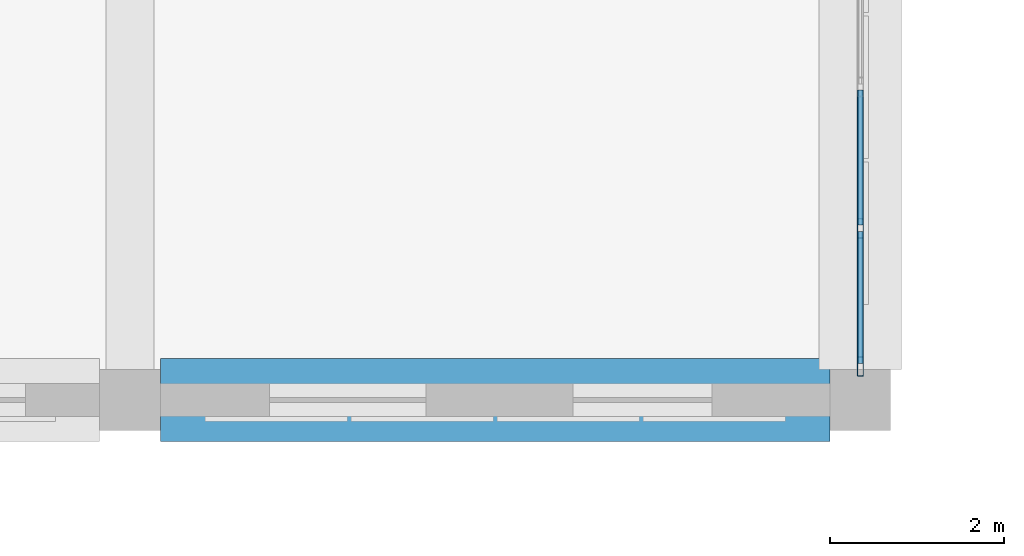
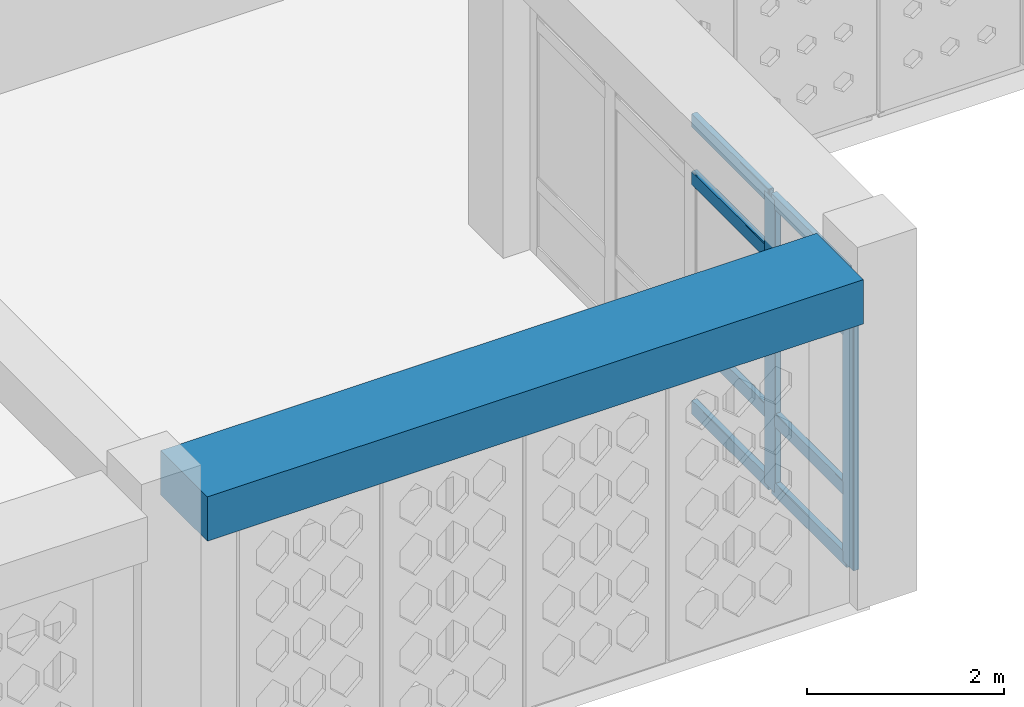
# One storey, part 16 of 79: 10 members, 1 beam, 1 element without a shape of its own.
"""IFC4 building model written with IfcOpenShell, lengths in metres."""

from ifc_helpers import new_model, si_unit, derived_unit, direction, frame, origin, origin_2d, place, context, subcontext, project, spatial, rectangle, hollow_rectangle, extrude, material, material_profile, profile_set, type_object, element, aggregate, save


model = new_model("IFC4")

# Units and contexts
model_context = context("Model", 3, precision=1e-05, world=origin(), true_north=direction((0.0, 1.0)))
body_context = subcontext(model_context, "Body", "Model", "MODEL_VIEW")
ifc_project = project(units=[si_unit("LENGTHUNIT", "METRE"), si_unit("AREAUNIT", "SQUARE_METRE"), si_unit("VOLUMEUNIT", "CUBIC_METRE"), si_unit("PLANEANGLEUNIT", "RADIAN"), si_unit("MASSUNIT", "GRAM", prefix="KILO"), derived_unit("THERMALTRANSMITTANCEUNIT", [(si_unit("POWERUNIT", "WATT"), 1), (si_unit("LENGTHUNIT", "METRE"), -2), (si_unit("THERMODYNAMICTEMPERATUREUNIT", "KELVIN"), -1)])], contexts=[model_context])

# Site, building, storey
site_placement = place(None, origin())
site = spatial("IfcSite", under=ifc_project, at=site_placement, CompositionType="ELEMENT")
building_placement = place(site_placement, origin())
building = spatial("IfcBuilding", under=site, at=building_placement, Name="Veybourne Emporium", CompositionType="ELEMENT")
storey_placement = place(building_placement, frame((0.0, 0.0, 18.89990234375)))
storey = spatial("IfcBuildingStorey", under=building, at=storey_placement, Name="L04", CompositionType="ELEMENT", Elevation=18.89990234375)

# Curtain wall, members
ifc_material_1 = material(Name="Patinated Architectural Bronze", Category="bronze")
curtain_wall_type = type_object("IfcCurtainWallType", Name="CWSystem_CWS-05", PredefinedType="NOTDEFINED", material=ifc_material_1)
curtain_wall_placement = place(storey_placement, origin())
curtain_wall = element("IfcCurtainWall", 1, at=curtain_wall_placement, inside=storey, type_object=curtain_wall_type, Name="L04 bronze glazed curtain wall CWS-05 (042)", PredefinedType="NOTDEFINED")
ifc_material_profile_1 = material_profile(ifc_material_1, hollow_rectangle(XDim=0.072021484375, YDim=0.22509765625, WallThickness=0.0048828125, InnerFilletRadius=0.007568359375, OuterFilletRadius=0.012451171875, at=origin_2d()), Name="CWM 72x225x5")
ifc_profile_set_1 = profile_set([ifc_material_profile_1], Name="Patinated Architectural Bronze")
member_type_1 = type_object("IfcMemberType", Name="CWMullion_CW-M1", PredefinedType="MULLION", material=ifc_profile_set_1)
member_1_placement = place(storey_placement, frame((92.39990234375, 30.77490234375, 0.0), z_axis=(0.0, 0.0, 1.0), x_axis=(1.0, 0.0, 0.0)))
member_1 = element("IfcMember", 2, at=member_1_placement, type_object=member_type_1, Name="CWS-05 mullion 4", PredefinedType="MULLION", context=body_context, shape_type="SweptSolid", body=[
    extrude(hollow_rectangle(XDim=0.072021484375, YDim=0.22509765625, WallThickness=0.0048828125, InnerFilletRadius=0.007568359375, OuterFilletRadius=0.012451171875, at=origin_2d()), origin(), (0.0, 0.0, 1.0), 3.630126953125),
])
member_2_placement = place(storey_placement, frame((92.39990234375, 29.18603515625, 0.0), z_axis=(0.0, 0.0, 1.0), x_axis=(1.0, 0.0, 0.0)))
member_2 = element("IfcMember", 3, at=member_2_placement, type_object=member_type_1, Name="CWS-05 mullion 5", PredefinedType="MULLION", context=body_context, shape_type="SweptSolid", body=[
    extrude(hollow_rectangle(XDim=0.072021484375, YDim=0.22509765625, WallThickness=0.0048828125, InnerFilletRadius=0.007568359375, OuterFilletRadius=0.012451171875, at=origin_2d()), origin(), (0.0, 0.0, 1.0), 3.630126953125),
])
ifc_material_profile_2 = material_profile(ifc_material_1, hollow_rectangle(XDim=0.072021484375, YDim=0.175048828125, WallThickness=0.0048828125, InnerFilletRadius=0.007568359375, OuterFilletRadius=0.012451171875, at=origin_2d()), Name="CWT 72x175x5")
ifc_profile_set_2 = profile_set([ifc_material_profile_2], Name="Patinated Architectural Bronze")
member_type_2 = type_object("IfcMemberType", Name="CWTransom_CW-T1", PredefinedType="NOTDEFINED", material=ifc_profile_set_2)
member_3_placement = place(storey_placement, frame((92.39990234375, 32.364013671875, 0.0361328125), z_axis=(0.0, -1.0, 0.0), x_axis=(1.0, 0.0, 0.0)))
member_3 = element("IfcMember", 4, at=member_3_placement, type_object=member_type_2, Name="CWS-05 transom 3.1", ObjectType="TRANSOM", PredefinedType="USERDEFINED", context=body_context, shape_type="SweptSolid", body=[
    extrude(hollow_rectangle(XDim=0.072021484375, YDim=0.175048828125, WallThickness=0.0048828125, InnerFilletRadius=0.007568359375, OuterFilletRadius=0.012451171875, at=origin_2d()), origin(), (0.0, 0.0, 1.0), 1.552978515625),
])
member_4_placement = place(storey_placement, frame((92.39990234375, 32.364013671875, 0.900146484375), z_axis=(0.0, -1.0, 0.0), x_axis=(1.0, 0.0, 0.0)))
member_4 = element("IfcMember", 5, at=member_4_placement, type_object=member_type_2, Name="CWS-05 transom 3.2", ObjectType="TRANSOM", PredefinedType="USERDEFINED", context=body_context, shape_type="SweptSolid", body=[
    extrude(hollow_rectangle(XDim=0.072021484375, YDim=0.175048828125, WallThickness=0.0048828125, InnerFilletRadius=0.007568359375, OuterFilletRadius=0.012451171875, at=origin_2d()), origin(), (0.0, 0.0, 1.0), 1.552978515625),
])
member_5_placement = place(storey_placement, frame((92.39990234375, 32.364013671875, 2.880126953125), z_axis=(0.0, -1.0, 0.0), x_axis=(1.0, 0.0, 0.0)))
member_5 = element("IfcMember", 6, at=member_5_placement, type_object=member_type_2, Name="CWS-05 transom 3.3", ObjectType="TRANSOM", PredefinedType="USERDEFINED", context=body_context, shape_type="SweptSolid", body=[
    extrude(hollow_rectangle(XDim=0.072021484375, YDim=0.175048828125, WallThickness=0.0048828125, InnerFilletRadius=0.007568359375, OuterFilletRadius=0.012451171875, at=origin_2d()), origin(), (0.0, 0.0, 1.0), 1.552978515625),
])
member_6_placement = place(storey_placement, frame((92.39990234375, 32.364013671875, 3.593994140625), z_axis=(0.0, -1.0, 0.0), x_axis=(1.0, 0.0, 0.0)))
member_6 = element("IfcMember", 7, at=member_6_placement, type_object=member_type_2, Name="CWS-05 transom 3.4", ObjectType="TRANSOM", PredefinedType="USERDEFINED", context=body_context, shape_type="SweptSolid", body=[
    extrude(hollow_rectangle(XDim=0.072021484375, YDim=0.175048828125, WallThickness=0.0048828125, InnerFilletRadius=0.007568359375, OuterFilletRadius=0.012451171875, at=origin_2d()), origin(), (0.0, 0.0, 1.0), 1.552978515625),
])
member_7_placement = place(storey_placement, frame((92.39990234375, 30.739013671875, 0.0361328125), z_axis=(0.0, -1.0, 0.0), x_axis=(1.0, 0.0, 0.0)))
member_7 = element("IfcMember", 8, at=member_7_placement, type_object=member_type_2, Name="CWS-05 transom 4.1", ObjectType="TRANSOM", PredefinedType="USERDEFINED", context=body_context, shape_type="SweptSolid", body=[
    extrude(hollow_rectangle(XDim=0.072021484375, YDim=0.175048828125, WallThickness=0.0048828125, InnerFilletRadius=0.007568359375, OuterFilletRadius=0.012451171875, at=origin_2d()), origin(), (0.0, 0.0, 1.0), 1.51708984375),
])
member_8_placement = place(storey_placement, frame((92.39990234375, 30.739013671875, 0.900146484375), z_axis=(0.0, -1.0, 0.0), x_axis=(1.0, 0.0, 0.0)))
member_8 = element("IfcMember", 9, at=member_8_placement, type_object=member_type_2, Name="CWS-05 transom 4.2", ObjectType="TRANSOM", PredefinedType="USERDEFINED", context=body_context, shape_type="SweptSolid", body=[
    extrude(hollow_rectangle(XDim=0.072021484375, YDim=0.175048828125, WallThickness=0.0048828125, InnerFilletRadius=0.007568359375, OuterFilletRadius=0.012451171875, at=origin_2d()), origin(), (0.0, 0.0, 1.0), 1.51708984375),
])
member_9_placement = place(storey_placement, frame((92.39990234375, 30.739013671875, 2.880126953125), z_axis=(0.0, -1.0, 0.0), x_axis=(1.0, 0.0, 0.0)))
member_9 = element("IfcMember", 10, at=member_9_placement, type_object=member_type_2, Name="CWS-05 transom 4.3", ObjectType="TRANSOM", PredefinedType="USERDEFINED", context=body_context, shape_type="SweptSolid", body=[
    extrude(hollow_rectangle(XDim=0.072021484375, YDim=0.175048828125, WallThickness=0.0048828125, InnerFilletRadius=0.007568359375, OuterFilletRadius=0.012451171875, at=origin_2d()), origin(), (0.0, 0.0, 1.0), 1.51708984375),
])
member_10_placement = place(storey_placement, frame((92.39990234375, 30.739013671875, 3.593994140625), z_axis=(0.0, -1.0, 0.0), x_axis=(1.0, 0.0, 0.0)))
member_10 = element("IfcMember", 11, at=member_10_placement, type_object=member_type_2, Name="CWS-05 transom 4.4", ObjectType="TRANSOM", PredefinedType="USERDEFINED", context=body_context, shape_type="SweptSolid", body=[
    extrude(hollow_rectangle(XDim=0.072021484375, YDim=0.175048828125, WallThickness=0.0048828125, InnerFilletRadius=0.007568359375, OuterFilletRadius=0.012451171875, at=origin_2d()), origin(), (0.0, 0.0, 1.0), 1.51708984375),
])
aggregate(curtain_wall, [member_1, member_2, member_3, member_4, member_5, member_6, member_7, member_8, member_9, member_10])

# Beam
ifc_material_2 = material(Name="Concrete C32/40", Category="concrete")
ifc_material_profile_3 = material_profile(ifc_material_2, rectangle(XDim=0.949951171875, YDim=0.550048828125, at=origin_2d()), Name="RC 950x550")
ifc_profile_set_3 = profile_set([ifc_material_profile_3], Name="Concrete C32/40")
beam_type = type_object("IfcBeamType", Name="RCBeam_EB-01", PredefinedType="SPANDREL", material=ifc_profile_set_3)
beam_placement = place(storey_placement, frame((84.35009765625, 28.800048828125, 3.905029296875), z_axis=(1.0, 0.0, 0.0), x_axis=(0.0, 1.0, 0.0)))
element("IfcBeam", 12, at=beam_placement, inside=storey, type_object=beam_type, Name="L04 X-grid beam EB-01 (10,4)", PredefinedType="SPANDREL", context=body_context, shape_type="SweptSolid", body=[
    extrude(rectangle(XDim=0.949951171875, YDim=0.550048828125, at=origin_2d()), origin(), (0.0, 0.0, 1.0), 7.699951171875),
])

save(model, "model.ifc")
